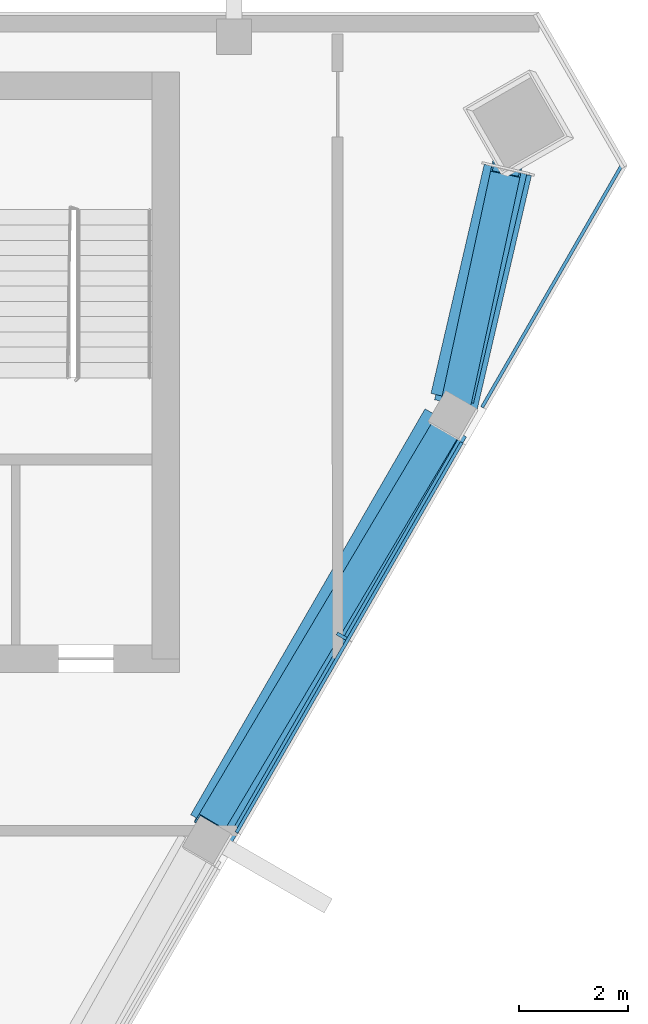
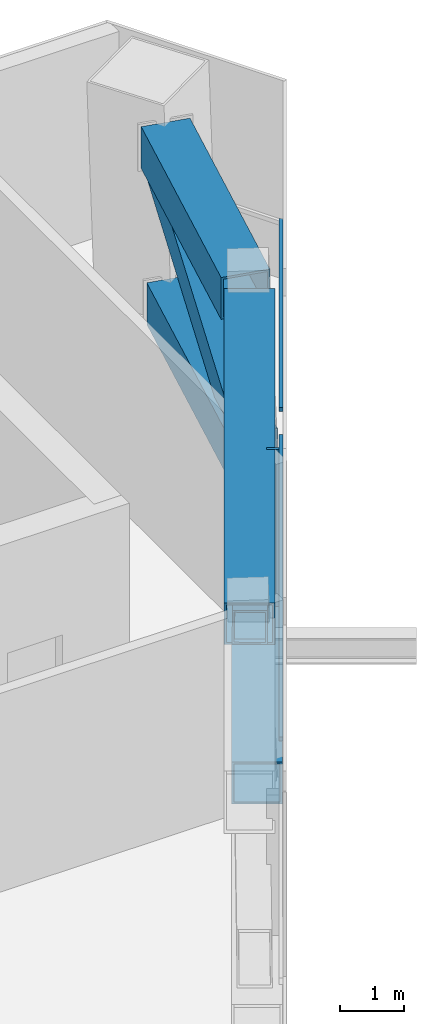
# One storey, part 4 of 9: 9 members, 1 element without a shape of its own.
"""IFC4 building model written with IfcOpenShell, lengths in metres."""

from ifc_helpers import new_model, si_unit, direction, frame, origin, origin_2d, place, context, subcontext, project, spatial, rectangle, hollow_rectangle, extrude, material, layer, layer_set, material_profile, profile_set, type_object, element, aggregate, save


model = new_model("IFC4")

# Units and contexts
model_context = context("Model", 3, precision=1e-05, world=origin(), true_north=direction((0.0, 1.0)))
body_context = subcontext(model_context, "Body", "Model", "MODEL_VIEW")
ifc_project = project(units=[si_unit("LENGTHUNIT", "METRE"), si_unit("AREAUNIT", "SQUARE_METRE"), si_unit("VOLUMEUNIT", "CUBIC_METRE"), si_unit("PLANEANGLEUNIT", "RADIAN"), si_unit("MASSUNIT", "GRAM", prefix="KILO")], contexts=[model_context])

# Site, building, storey
site_placement = place(None, origin())
site = spatial("IfcSite", under=ifc_project, at=site_placement, CompositionType="ELEMENT")
building_placement = place(site_placement, origin())
building = spatial("IfcBuilding", under=site, at=building_placement, Name="Altiplano Prism Tower", CompositionType="ELEMENT")
storey_placement = place(building_placement, frame((0.0, 0.0, 343.0)))
storey = spatial("IfcBuildingStorey", under=building, at=storey_placement, Name="L89", CompositionType="ELEMENT", Elevation=343.0)

# Curtain wall, members
ifc_material_1 = material(Name="Aluminium and glass", Category="aluminium")
ifc_layer = layer(ifc_material_1, 0.320068359375)
ifc_layer_set = layer_set([ifc_layer], Name="Aluminium and glass")
curtain_wall_type = type_object("IfcCurtainWallType", Name="CW6 louvred plant-floor curtain wall", PredefinedType="NOTDEFINED", material=ifc_layer_set)
curtain_wall_placement = place(storey_placement, origin())
curtain_wall = element("IfcCurtainWall", 1, at=curtain_wall_placement, inside=storey, type_object=curtain_wall_type, Name="CW6 curtain wall south-east face L89", PredefinedType="NOTDEFINED")
ifc_material_2 = material(Name="Aluminium", Category="aluminium")
ifc_material_profile_1 = material_profile(ifc_material_2, rectangle(XDim=0.199951171875, YDim=0.06005859375, at=origin_2d()), Name="CW6 mullion 60 x 200")
ifc_profile_set_1 = profile_set([ifc_material_profile_1], Name="Aluminium")
member_type_1 = type_object("IfcMemberType", Name="CW6 mullion 60 x 200", PredefinedType="MULLION", material=ifc_profile_set_1)
member_1_placement = place(storey_placement, frame((100.474609375, 93.5654296875, 0.0), z_axis=(0.0, 0.0, 1.0), x_axis=(-0.866025401524, 0.500000003915, 0.0)))
member_1 = element("IfcMember", 2, at=member_1_placement, type_object=member_type_1, Name="CW6 mullion", PredefinedType="MULLION", context=body_context, shape_type="SweptSolid", body=[
    extrude(rectangle(XDim=0.199951171875, YDim=0.06005859375, at=origin_2d()), origin(), (0.0, 0.0, 1.0), 3.800048828125),
])
ifc_material_profile_2 = material_profile(ifc_material_2, rectangle(XDim=0.06005859375, YDim=0.080078125, at=origin_2d()), Name="CW6 transom 80 x 60")
ifc_profile_set_2 = profile_set([ifc_material_profile_2], Name="Aluminium")
member_type_2 = type_object("IfcMemberType", Name="CW6 transom 80 x 60", PredefinedType="USERDEFINED", material=ifc_profile_set_2)
member_2_placement = place(storey_placement, frame((98.54638671875, 89.9658203125, 1.10009765625), z_axis=(0.500012536837, 0.866018165517, 0.0), x_axis=(-0.866018165517, 0.500012536837, 0.0)))
member_2 = element("IfcMember", 3, at=member_2_placement, type_object=member_type_2, Name="CW6 transom", ObjectType="TRANSOM", PredefinedType="USERDEFINED", context=body_context, shape_type="SweptSolid", body=[
    extrude(rectangle(XDim=0.06005859375, YDim=0.080078125, at=origin_2d()), origin(), (0.0, 0.0, 1.0), 8.256591796875),
])
member_3_placement = place(storey_placement, frame((103.04638671875, 97.760009765625, 1.10009765625), z_axis=(0.500015500458, 0.866016454406, 0.0), x_axis=(-0.866016454406, 0.500015500458, 0.0)))
member_3 = element("IfcMember", 4, at=member_3_placement, type_object=member_type_2, Name="CW6 transom", ObjectType="TRANSOM", PredefinedType="USERDEFINED", context=body_context, shape_type="SweptSolid", body=[
    extrude(rectangle(XDim=0.06005859375, YDim=0.080078125, at=origin_2d()), origin(), (0.0, 0.0, 1.0), 5.168212890625),
])
aggregate(curtain_wall, [member_1, member_2, member_3])

# Members
ifc_material_3 = material(Name="Steel S355", Category="steel")
ifc_material_profile_3 = material_profile(ifc_material_3, hollow_rectangle(XDim=0.800048828125, YDim=0.800048828125, WallThickness=0.0400390625, at=origin_2d()), Name="Transfer chord Box 800x800x40")
ifc_profile_set_3 = profile_set([ifc_material_profile_3], Name="Steel S355")
member_type_3 = type_object("IfcMemberType", Name="Transfer chord Box 800x800x40", PredefinedType="CHORD", material=ifc_profile_set_3)
for number, where, z_axis, x_axis, name in (
    (5, (98.119140625, 89.976318359375, 0.39990234375), (0.499990619765, 0.866030819398, 0.0), (-0.866030819398, 0.499990619765, 0.0), "Transfer truss edge 2 chord b4"),
    (6, (98.052490234375, 90.091796875, 3.39990234375), (0.499990619765, 0.866030819398, 0.0), (-0.866030819398, 0.499990619765, 0.0), "Transfer truss edge 2 chord t4"),
):
    element("IfcMember", number, at=place(storey_placement, frame(where, z_axis=z_axis, x_axis=x_axis)), inside=storey, type_object=member_type_3, Name=name, PredefinedType="CHORD", context=body_context, shape_type="SweptSolid", body=[
        extrude(hollow_rectangle(XDim=0.800048828125, YDim=0.800048828125, WallThickness=0.0400390625, at=origin_2d()), origin(), (0.0, 0.0, 1.0), 8.590087890625),
    ])
member_4_placement = place(storey_placement, frame((102.56640625, 97.80712890625, 0.39990234375), z_axis=(0.226196451861, 0.974081703537, 0.0), x_axis=(-0.974081703537, 0.226196451861, 0.0)))
element("IfcMember", 7, at=member_4_placement, inside=storey, type_object=member_type_3, Name="Transfer truss edge 2 chord b5", PredefinedType="CHORD", context=body_context, shape_type="SweptSolid", body=[
    extrude(hollow_rectangle(XDim=0.800048828125, YDim=0.800048828125, WallThickness=0.0400390625, at=origin_2d()), origin(), (0.0, 0.0, 1.0), 4.400390625),
])
member_5_placement = place(storey_placement, frame((102.499755859375, 97.92236328125, 3.39990234375), z_axis=(0.22652598902, 0.97400512129, 0.0), x_axis=(-0.97400512129, 0.22652598902, 0.0)))
element("IfcMember", 8, at=member_5_placement, inside=storey, type_object=member_type_3, Name="Transfer truss edge 2 chord t5", PredefinedType="CHORD", context=body_context, shape_type="SweptSolid", body=[
    extrude(hollow_rectangle(XDim=0.800048828125, YDim=0.800048828125, WallThickness=0.0400390625, at=origin_2d()), origin(), (0.0, 0.0, 1.0), 4.31103515625),
])
ifc_material_profile_4 = material_profile(ifc_material_3, hollow_rectangle(XDim=0.550048828125, YDim=0.550048828125, WallThickness=0.030029296875, at=origin_2d()), Name="Transfer diagonal Box 550x550x30")
ifc_profile_set_4 = profile_set([ifc_material_profile_4], Name="Steel S355")
member_type_4 = type_object("IfcMemberType", Name="Transfer diagonal Box 550x550x30", PredefinedType="BRACE", material=ifc_profile_set_4)
member_6_placement = place(storey_placement, frame((98.0546875, 90.09033203125, 3.3310546875), z_axis=(0.484567293404, 0.814780069914, -0.318320555156), x_axis=(-0.859487937989, 0.511156027502, 0.0)))
element("IfcMember", 9, at=member_6_placement, inside=storey, type_object=member_type_4, Name="Transfer truss edge 2 diagonal 4", PredefinedType="BRACE", context=body_context, shape_type="SweptSolid", body=[
    extrude(hollow_rectangle(XDim=0.550048828125, YDim=0.550048828125, WallThickness=0.030029296875, at=origin_2d()), origin(), (0.0, 0.0, 1.0), 8.991943359375),
])
member_7_placement = place(storey_placement, frame((102.562744140625, 97.807861328125, 0.519775390625), z_axis=(0.18475129542, 0.858510453625, 0.478358401052), x_axis=(-0.977618952034, 0.210383422884, 0.0)))
element("IfcMember", 10, at=member_7_placement, inside=storey, type_object=member_type_4, Name="Transfer truss edge 2 diagonal 5", PredefinedType="BRACE", context=body_context, shape_type="SweptSolid", body=[
    extrude(hollow_rectangle(XDim=0.550048828125, YDim=0.550048828125, WallThickness=0.030029296875, at=origin_2d()), origin(), (0.0, 0.0, 1.0), 5.06640625),
])

save(model, "model.ifc")
